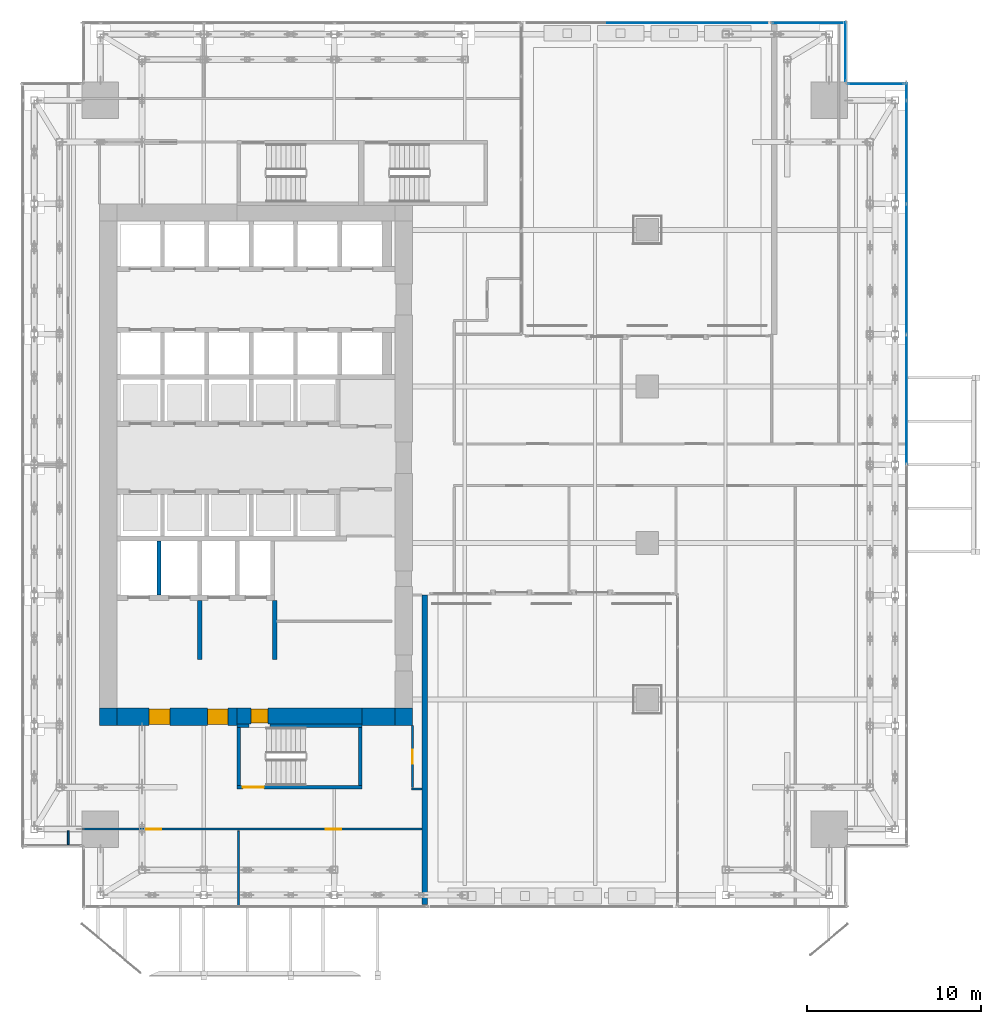
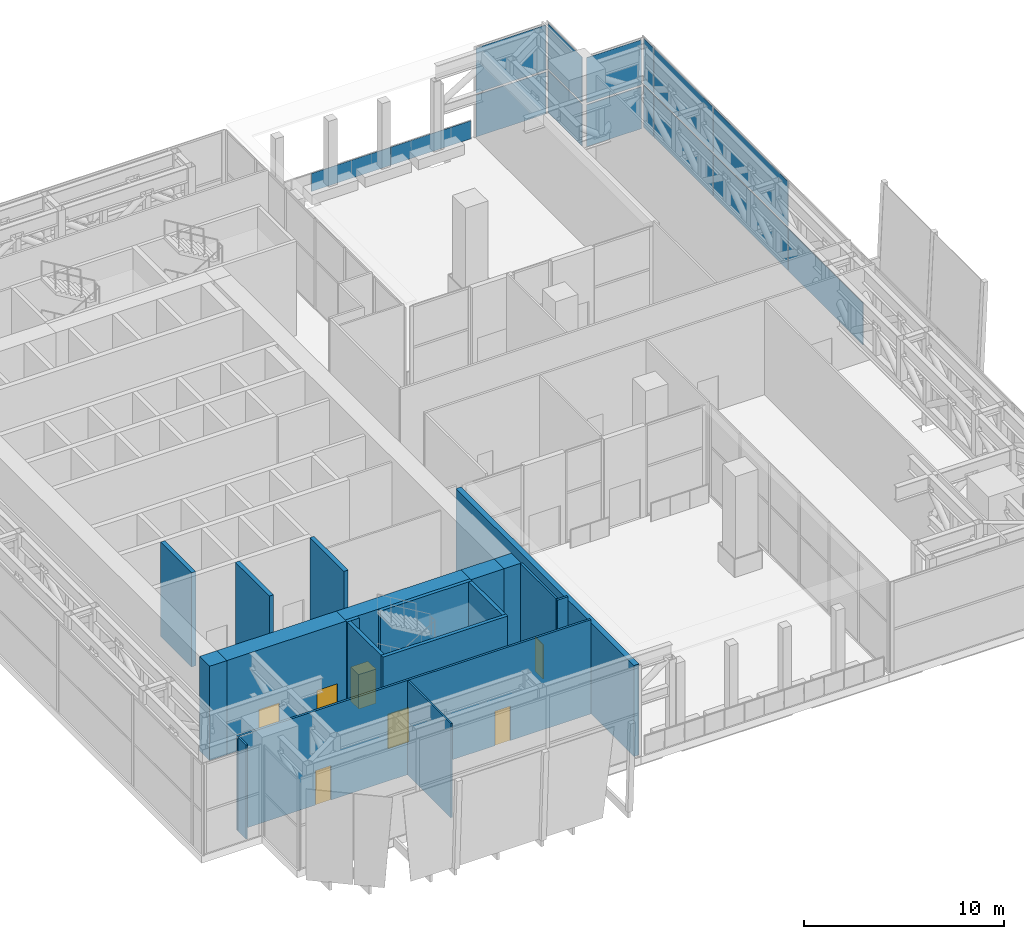
# One storey, part 35 of 47: 19 walls, 15 plates, 7 doors, 7 openings, 4 elements without a shape of their own.
"""IFC4 building model written with IfcOpenShell, lengths in metres."""

import ifcopenshell
import ifcopenshell.guid

model = None  # the IFC model being written
_history = None  # IfcOwnerHistory: only IFC2X3 demands one
_inside = {}  # id of a spatial element -> (the spatial element, [elements in it])
_under = {}  # id of a project, library or spatial element -> (it, [spatial elements below it])
_declared = {}  # id of a project -> (the project, [libraries it declares])
_typed = {}  # id of a type object -> (the type object, [elements of that type])
_made_of = {}  # id of a material, layer set ... -> (it, [elements and type objects made of it])


def new_model(schema):
    """Start an empty IFC model of exactly this schema.

    Asked for "IFC4X3", IfcOpenShell would pick the latest addendum, in which some entities
    have other attributes; the version numbers below select the first issue.
    IFC2X3 requires an IfcOwnerHistory on every rooted entity: one is made here for all.
    """
    global model, _history
    if schema == "IFC4X3":
        model = ifcopenshell.file(schema_version=(4, 3, 0, 0))
    else:
        model = ifcopenshell.file(schema=schema)
    _inside.clear()
    _under.clear()
    _declared.clear()
    _typed.clear()
    _made_of.clear()
    _history = None
    if model.schema == "IFC2X3":
        org = make("IfcOrganization", Name="unknown")
        user = make(
            "IfcPersonAndOrganization",
            ThePerson=make("IfcPerson", FamilyName="unknown"),
            TheOrganization=org,
        )
        app = make(
            "IfcApplication",
            ApplicationDeveloper=org,
            Version="unknown",
            ApplicationFullName="unknown",
            ApplicationIdentifier="unknown",
        )
        _history = make(
            "IfcOwnerHistory",
            OwningUser=user,
            OwningApplication=app,
            ChangeAction="ADDED",
            CreationDate=0,
        )
    return model


def make(cls, **values):
    """One entity of the class cls with the attributes given. An attribute that is None is left unset."""
    return model.create_entity(
        cls, **{name: value for name, value in values.items() if value is not None}
    )


def rooted(cls, **values):
    """An entity with a GlobalId (a new one), such as an element, a storey or a relation."""
    return make(cls, GlobalId=ifcopenshell.guid.new(), OwnerHistory=_history, **values)


def si_unit(unit_type, name, prefix=None):
    """IfcSIUnit, for example si_unit("LENGTHUNIT", "METRE", prefix="MILLI")."""
    return make("IfcSIUnit", UnitType=unit_type, Prefix=prefix, Name=name)


def assignment(units):
    """IfcUnitAssignment: the units of a project."""
    return None if units is None else make("IfcUnitAssignment", Units=units)


def point(xyz):
    """IfcCartesianPoint."""
    return None if xyz is None else make("IfcCartesianPoint", Coordinates=xyz)


def direction(xyz):
    """IfcDirection."""
    return None if xyz is None else make("IfcDirection", DirectionRatios=xyz)


def frame(location, z_axis=None, x_axis=None):
    """IfcAxis2Placement3D, a coordinate frame: its origin and axes. An axis left out is left unset."""
    return make(
        "IfcAxis2Placement3D",
        Location=point(location),
        Axis=direction(z_axis),
        RefDirection=direction(x_axis),
    )


def frame_2d(location, x_axis=None):
    """IfcAxis2Placement2D, a coordinate frame in the plane: its origin and x axis."""
    return make(
        "IfcAxis2Placement2D", Location=point(location), RefDirection=direction(x_axis)
    )


def origin():
    """The frame at (0, 0, 0) with its axes left unset."""
    return frame((0.0, 0.0, 0.0))


def origin_2d():
    """The frame at (0, 0) in the plane with its x axis left unset."""
    return frame_2d((0.0, 0.0))


def place(relative_to, where):
    """IfcLocalPlacement: puts the frame where relative to a parent placement (None: the world)."""
    return make(
        "IfcLocalPlacement", PlacementRelTo=relative_to, RelativePlacement=where
    )


def context(
    kind, dimensions, precision=None, world=None, true_north=None, identifier=None
):
    """IfcGeometricRepresentationContext, for example the 3D "Model" context."""
    return make(
        "IfcGeometricRepresentationContext",
        ContextIdentifier=identifier,
        ContextType=kind,
        CoordinateSpaceDimension=dimensions,
        Precision=precision,
        WorldCoordinateSystem=world,
        TrueNorth=true_north,
    )


def subcontext(parent, identifier, kind, view, scale=None):
    """IfcGeometricRepresentationSubContext, for example "Body" below "Model"."""
    return make(
        "IfcGeometricRepresentationSubContext",
        ContextIdentifier=identifier,
        ContextType=kind,
        ParentContext=parent,
        TargetScale=scale,
        TargetView=view,
    )


def project(units=None, contexts=None):
    """IfcProject with its units and contexts."""
    return rooted(
        "IfcProject",
        Name="project",
        RepresentationContexts=contexts,
        UnitsInContext=assignment(units),
    )


def spatial(cls, under=None, at=None, **own):
    """A site, building, storey or space (cls), placed at a placement, below another one or the project."""
    s = rooted(cls, ObjectPlacement=at, **own)
    if under is not None:
        _under.setdefault(under.id(), (under, []))[1].append(s)
    return s


def profile(cls, at=None, kind="AREA", **sizes):
    """A parametric profile (cls). Its sizes go by their IFC names, for example OverallWidth=200.0."""
    return make(cls, ProfileType=kind, Position=at, **sizes)


def rectangle(**sizes):
    """IfcRectangleProfileDef."""
    return profile("IfcRectangleProfileDef", **sizes)


def extrude(swept, where, along, depth):
    """IfcExtrudedAreaSolid: the profile swept, set in the frame where, extruded along a direction by depth."""
    return make(
        "IfcExtrudedAreaSolid",
        SweptArea=swept,
        Position=where,
        ExtrudedDirection=direction(along),
        Depth=depth,
    )


def shape(context_of_items, identifier, shape_type, items):
    """IfcShapeRepresentation: the items that make up one representation, for example the "Body"."""
    return make(
        "IfcShapeRepresentation",
        ContextOfItems=context_of_items,
        RepresentationIdentifier=identifier,
        RepresentationType=shape_type,
        Items=items,
    )


def source(mapping_origin, context_of_items, identifier, shape_type, items):
    """IfcRepresentationMap: a shape defined once, which mapped items show again and again."""
    return make(
        "IfcRepresentationMap",
        MappingOrigin=mapping_origin,
        MappedRepresentation=shape(context_of_items, identifier, shape_type, items),
    )


def transform(
    local_origin,
    x_axis=None,
    y_axis=None,
    z_axis=None,
    scale=None,
    scale2=None,
    scale3=None,
    uniform=True,
):
    """IfcCartesianTransformationOperator3D, or its non-uniform kind. x_axis, y_axis, z_axis: its Axis1, 2, 3."""
    if uniform:
        return make(
            "IfcCartesianTransformationOperator3D",
            Axis1=direction(x_axis),
            Axis2=direction(y_axis),
            LocalOrigin=point(local_origin),
            Scale=scale,
            Axis3=direction(z_axis),
        )
    return make(
        "IfcCartesianTransformationOperator3DnonUniform",
        Axis1=direction(x_axis),
        Axis2=direction(y_axis),
        LocalOrigin=point(local_origin),
        Scale=scale,
        Axis3=direction(z_axis),
        Scale2=scale2,
        Scale3=scale3,
    )


def mapped(mapping_source, mapping_target):
    """IfcMappedItem: shows the shape of a source again, moved by a transform."""
    return make(
        "IfcMappedItem", MappingSource=mapping_source, MappingTarget=mapping_target
    )


def material(Name=None, Category=None):
    """IfcMaterial."""
    return make("IfcMaterial", Name=Name, Category=Category)


def layer(
    of_material, thickness, ventilated=None, Name=None, Category=None, Priority=None
):
    """IfcMaterialLayer: one layer of a wall or slab, of a material (None: an air gap)."""
    return make(
        "IfcMaterialLayer",
        Material=of_material,
        LayerThickness=thickness,
        IsVentilated=ventilated,
        Name=Name,
        Category=Category,
        Priority=Priority,
    )


def layer_set(layers, Name=None):
    """IfcMaterialLayerSet."""
    return make("IfcMaterialLayerSet", MaterialLayers=layers, LayerSetName=Name)


def made_of(thing, what):
    """Note that an element or type object is made of a material, layer set ...; save() writes the relation."""
    if what is not None:
        _made_of.setdefault(what.id(), (what, []))[1].append(thing)
    return thing


def type_object(cls, material=None, **own):
    """A type object (cls), such as IfcWallType, which elements share."""
    return made_of(rooted(cls, **own), material)


def element(
    cls,
    number,
    at=None,
    inside=None,
    cuts=None,
    type_object=None,
    material=None,
    context=None,
    identifier="Body",
    shape_type=None,
    held_by="IfcProductDefinitionShape",
    body=None,
    shapes=None,
    **own,
):
    """One element of the class cls, such as IfcWall. Its Tag is "e" and its number.

    at: its placement. inside: the storey or other place that contains it. cuts: it is an
    opening in that element (IfcRelVoidsElement). A single representation is given by context,
    identifier, shape_type and body (its items); several are given by shapes. held_by: the class
    of the entity that holds the representations. save() writes the other relations.
    """
    e = rooted(cls, Tag="e%d" % number, ObjectPlacement=at, **own)
    if body is not None:
        shapes = [shape(context, identifier, shape_type, body)]
    if shapes is not None:
        e.Representation = make(held_by, Representations=shapes)
    if inside is not None:
        _inside.setdefault(inside.id(), (inside, []))[1].append(e)
    if cuts is not None:
        rooted(
            "IfcRelVoidsElement", RelatingBuildingElement=cuts, RelatedOpeningElement=e
        )
    if type_object is not None:
        _typed.setdefault(type_object.id(), (type_object, []))[1].append(e)
    return made_of(e, material)


def fill(opening, filler):
    """IfcRelFillsElement: the door or window that sits in an opening."""
    return rooted(
        "IfcRelFillsElement",
        RelatingOpeningElement=opening,
        RelatedBuildingElement=filler,
    )


def aggregate(whole, parts):
    """IfcRelAggregates: a whole, such as a stair, and the parts it consists of."""
    return rooted("IfcRelAggregates", RelatingObject=whole, RelatedObjects=parts)


def save(model, path):
    """Write the relations noted so far, then the file.

    IfcRelAggregates (storeys below a building ...), IfcRelContainedInSpatialStructure (elements
    in a storey), IfcRelDefinesByType, IfcRelAssociatesMaterial and IfcRelDeclares: one each for
    every whole, place, type object, material and project.
    """
    for whole, parts in _under.values():
        aggregate(whole, parts)
    for where, things in _inside.values():
        rooted(
            "IfcRelContainedInSpatialStructure",
            RelatedElements=things,
            RelatingStructure=where,
        )
    for kind, things in _typed.values():
        rooted("IfcRelDefinesByType", RelatedObjects=things, RelatingType=kind)
    for what, things in _made_of.values():
        rooted("IfcRelAssociatesMaterial", RelatedObjects=things, RelatingMaterial=what)
    for by, libraries in _declared.values():
        rooted("IfcRelDeclares", RelatingContext=by, RelatedDefinitions=libraries)
    model.write(path)


model = new_model("IFC4")

# Units and contexts
model_context = context("Model", 3, precision=1e-05, world=origin(), true_north=direction((0.0, 1.0)))
body_context = subcontext(model_context, "Body", "Model", "MODEL_VIEW")
ifc_project = project(units=[si_unit("LENGTHUNIT", "METRE"), si_unit("AREAUNIT", "SQUARE_METRE"), si_unit("VOLUMEUNIT", "CUBIC_METRE"), si_unit("PLANEANGLEUNIT", "RADIAN"), si_unit("MASSUNIT", "GRAM", prefix="KILO")], contexts=[model_context])

# Site, building, storey
site_placement = place(None, origin())
site = spatial("IfcSite", under=ifc_project, at=site_placement, CompositionType="ELEMENT")
building_placement = place(site_placement, origin())
building = spatial("IfcBuilding", under=site, at=building_placement, Name="Khomas Fold Tower", CompositionType="ELEMENT")
storey_placement = place(building_placement, frame((0.0, 0.0, 158.699951171875)))
storey = spatial("IfcBuildingStorey", under=building, at=storey_placement, Name="L34", CompositionType="ELEMENT", Elevation=158.699951171875)

# Curtain wall, plates
ifc_material_1 = material(Name="Aluminium framed double glazing", Category="aluminium")
curtain_wall_type = type_object("IfcCurtainWallType", Name="SK-Unitised clear-glass wall, growing floors CW1", PredefinedType="NOTDEFINED", material=ifc_material_1)
curtain_wall_1_placement = place(storey_placement, origin())
curtain_wall_1 = element("IfcCurtainWall", 1, at=curtain_wall_1_placement, inside=storey, type_object=curtain_wall_type, Name="CW1 corner return L34 10", PredefinedType="NOTDEFINED")
ifc_material_2 = material(Name="Insulated metal spandrel panel")
ifc_layer_1 = layer(ifc_material_2, 0.031982421875)
ifc_layer_set_1 = layer_set([ifc_layer_1], Name="Insulated metal spandrel panel")
plate_type_1 = type_object("IfcPlateType", Name="SK-Unitised clear-glass wall, growing floors spandrel panel CW1-S", PredefinedType="CURTAIN_PANEL", material=ifc_layer_set_1)
shared_shape_1 = source(origin(), body_context, "Body", "SweptSolid", [
    extrude(rectangle(XDim=3.3798828125, YDim=0.031982421875, at=origin_2d()), origin(), (0.0, 0.0, 1.0), 2.752685546875),
])
plate_1_placement = place(storey_placement, frame((48.89990234375, 50.75, 2.67724609375), z_axis=(0.0, 0.0, 1.0), x_axis=(0.0, 1.0, 0.0)))
plate_1 = element("IfcPlate", 2, at=plate_1_placement, type_object=plate_type_1, Name="CW1 spandrel panel 1", PredefinedType="CURTAIN_PANEL", context=body_context, shape_type="MappedRepresentation", body=[
    mapped(shared_shape_1, transform((0.0, 0.0, 0.0))),
])
ifc_material_3 = material(Name="Clear double glazed unit")
ifc_layer_2 = layer(ifc_material_3, 0.031982421875)
ifc_layer_set_2 = layer_set([ifc_layer_2], Name="Clear double glazed unit")
plate_type_2 = type_object("IfcPlateType", Name="SK-Unitised clear-glass wall, growing floors glass panel CW1-P", PredefinedType="CURTAIN_PANEL", material=ifc_layer_set_2)
shared_shape_2 = source(origin(), body_context, "Body", "SweptSolid", [
    extrude(rectangle(XDim=3.3798828125, YDim=0.031982421875, at=origin_2d()), origin(), (0.0, 0.0, 1.0), 2.55712890625),
])
plate_2_placement = place(storey_placement, frame((48.89990234375, 50.75, 0.0), z_axis=(0.0, 0.0, 1.0), x_axis=(0.0, 1.0, 0.0)))
plate_2 = element("IfcPlate", 3, at=plate_2_placement, type_object=plate_type_2, Name="CW1 glass panel 1", PredefinedType="CURTAIN_PANEL", context=body_context, shape_type="MappedRepresentation", body=[
    mapped(shared_shape_2, transform((0.0, 0.0, 0.0))),
])
aggregate(curtain_wall_1, [plate_1, plate_2])

curtain_wall_2_placement = place(storey_placement, origin())
curtain_wall_2 = element("IfcCurtainWall", 4, at=curtain_wall_2_placement, inside=storey, type_object=curtain_wall_type, Name="CW1 run L34 08-0", PredefinedType="NOTDEFINED")
shared_shape_3 = source(origin(), body_context, "Body", "SweptSolid", [
    extrude(rectangle(XDim=5.889892578125, YDim=0.031982421875, at=origin_2d()), origin(), (0.0, 0.0, 1.0), 2.752685546875),
])
plate_3_placement = place(storey_placement, frame((52.39990234375, 44.97509765625, 2.67724609375), z_axis=(0.0, 0.0, 1.0), x_axis=(0.0, 1.0, 0.0)))
plate_3 = element("IfcPlate", 5, at=plate_3_placement, type_object=plate_type_1, Name="CW1 spandrel panel 7", PredefinedType="CURTAIN_PANEL", context=body_context, shape_type="MappedRepresentation", body=[
    mapped(shared_shape_3, transform((0.0, 0.0, 0.0))),
])
shared_shape_4 = source(origin(), body_context, "Body", "SweptSolid", [
    extrude(rectangle(XDim=5.889892578125, YDim=0.031982421875, at=origin_2d()), origin(), (0.0, 0.0, 1.0), 2.55712890625),
])
plate_4_placement = place(storey_placement, frame((52.39990234375, 44.97509765625, 0.0), z_axis=(0.0, 0.0, 1.0), x_axis=(0.0, 1.0, 0.0)))
plate_4 = element("IfcPlate", 6, at=plate_4_placement, type_object=plate_type_2, Name="CW1 glass panel 7", PredefinedType="CURTAIN_PANEL", context=body_context, shape_type="MappedRepresentation", body=[
    mapped(shared_shape_4, transform((0.0, 0.0, 0.0))),
])
shared_shape_5 = source(origin(), body_context, "Body", "SweptSolid", [
    extrude(rectangle(XDim=7.43994140625, YDim=0.031982421875, at=origin_2d()), origin(), (0.0, 0.0, 1.0), 2.752685546875),
])
plate_5_placement = place(storey_placement, frame((52.39990234375, 38.25, 2.67724609375), z_axis=(0.0, 0.0, 1.0), x_axis=(0.0, 1.0, 0.0)))
plate_5 = element("IfcPlate", 7, at=plate_5_placement, type_object=plate_type_1, Name="CW1 spandrel panel 6", PredefinedType="CURTAIN_PANEL", context=body_context, shape_type="MappedRepresentation", body=[
    mapped(shared_shape_5, transform((0.0, 0.0, 0.0))),
])
shared_shape_6 = source(origin(), body_context, "Body", "SweptSolid", [
    extrude(rectangle(XDim=7.43994140625, YDim=0.031982421875, at=origin_2d()), origin(), (0.0, 0.0, 1.0), 2.55712890625),
])
plate_6_placement = place(storey_placement, frame((52.39990234375, 30.75, 0.0), z_axis=(0.0, 0.0, 1.0), x_axis=(0.0, 1.0, 0.0)))
plate_6 = element("IfcPlate", 8, at=plate_6_placement, type_object=plate_type_2, Name="CW1 glass panel 5", PredefinedType="CURTAIN_PANEL", context=body_context, shape_type="MappedRepresentation", body=[
    mapped(shared_shape_6, transform((0.0, 0.0, 0.0))),
])
plate_7_placement = place(storey_placement, frame((52.39990234375, 38.25, 0.0), z_axis=(0.0, 0.0, 1.0), x_axis=(0.0, 1.0, 0.0)))
plate_7 = element("IfcPlate", 9, at=plate_7_placement, type_object=plate_type_2, Name="CW1 glass panel 6", PredefinedType="CURTAIN_PANEL", context=body_context, shape_type="MappedRepresentation", body=[
    mapped(shared_shape_6, transform((0.0, 0.0, 0.0))),
])

curtain_wall_3_placement = place(storey_placement, origin())
curtain_wall_3 = element("IfcCurtainWall", 10, at=curtain_wall_3_placement, inside=storey, type_object=curtain_wall_type, Name="CW1 corner return L34 09", PredefinedType="NOTDEFINED")
shared_shape_7 = source(origin(), body_context, "Body", "SweptSolid", [
    extrude(rectangle(XDim=3.179931640625, YDim=0.031982421875, at=origin_2d()), origin(), (0.0, 0.0, 1.0), 2.752685546875),
])
plate_8_placement = place(storey_placement, frame((50.64990234375, 48.89990234375, 2.67724609375), z_axis=(0.0, 0.0, 1.0), x_axis=(-1.0, 0.0, 0.0)))
plate_8 = element("IfcPlate", 11, at=plate_8_placement, type_object=plate_type_1, Name="CW1 spandrel panel 1", PredefinedType="CURTAIN_PANEL", context=body_context, shape_type="MappedRepresentation", body=[
    mapped(shared_shape_7, transform((0.0, 0.0, 0.0))),
])
shared_shape_8 = source(origin(), body_context, "Body", "SweptSolid", [
    extrude(rectangle(XDim=3.179931640625, YDim=0.031982421875, at=origin_2d()), origin(), (0.0, 0.0, 1.0), 2.55712890625),
])
plate_9_placement = place(storey_placement, frame((50.64990234375, 48.89990234375, 0.0), z_axis=(0.0, 0.0, 1.0), x_axis=(-1.0, 0.0, 0.0)))
plate_9 = element("IfcPlate", 12, at=plate_9_placement, type_object=plate_type_2, Name="CW1 glass panel 1", PredefinedType="CURTAIN_PANEL", context=body_context, shape_type="MappedRepresentation", body=[
    mapped(shared_shape_8, transform((0.0, 0.0, 0.0))),
])
aggregate(curtain_wall_3, [plate_8, plate_9])

# Plate
shared_shape_9 = source(origin(), body_context, "Body", "SweptSolid", [
    extrude(rectangle(XDim=0.9599609375, YDim=0.031982421875, at=origin_2d()), origin(), (0.0, 0.0, 1.0), 2.752685546875),
])
plate_10_placement = place(storey_placement, frame((52.39990234375, 48.4599609375, 2.67724609375), z_axis=(0.0, 0.0, 1.0), x_axis=(0.0, 1.0, 0.0)))
plate_10 = element("IfcPlate", 13, at=plate_10_placement, type_object=plate_type_1, Name="CW1 spandrel panel 8", PredefinedType="CURTAIN_PANEL", context=body_context, shape_type="MappedRepresentation", body=[
    mapped(shared_shape_9, transform((0.0, 0.0, 0.0))),
])

shared_shape_10 = source(origin(), body_context, "Body", "SweptSolid", [
    extrude(rectangle(XDim=0.9599609375, YDim=0.031982421875, at=origin_2d()), origin(), (0.0, 0.0, 1.0), 2.55712890625),
])
plate_11_placement = place(storey_placement, frame((52.39990234375, 48.4599609375, 0.0), z_axis=(0.0, 0.0, 1.0), x_axis=(0.0, 1.0, 0.0)))
plate_11 = element("IfcPlate", 14, at=plate_11_placement, type_object=plate_type_2, Name="CW1 glass panel 8", PredefinedType="CURTAIN_PANEL", context=body_context, shape_type="MappedRepresentation", body=[
    mapped(shared_shape_10, transform((0.0, 0.0, 0.0))),
])

aggregate(curtain_wall_2, [plate_6, plate_5, plate_7, plate_3, plate_4, plate_10, plate_11])

# Curtain wall, plates
curtain_wall_4_placement = place(storey_placement, origin())
curtain_wall_4 = element("IfcCurtainWall", 15, at=curtain_wall_4_placement, inside=storey, type_object=curtain_wall_type, Name="CW1 run L34 11-0", PredefinedType="NOTDEFINED")
shared_shape_11 = source(origin(), body_context, "Body", "SweptSolid", [
    extrude(rectangle(XDim=4.030029296875, YDim=0.031982421875, at=origin_2d()), origin(), (0.0, 0.0, 1.0), 2.752685546875),
])
plate_12_placement = place(storey_placement, frame((46.72509765625, 52.39990234375, 2.67724609375), z_axis=(0.0, 0.0, 1.0), x_axis=(-1.0, 0.0, 0.0)))
plate_12 = element("IfcPlate", 16, at=plate_12_placement, type_object=plate_type_1, Name="CW1 spandrel panel 1", PredefinedType="CURTAIN_PANEL", context=body_context, shape_type="MappedRepresentation", body=[
    mapped(shared_shape_11, transform((0.0, 0.0, 0.0))),
])
shared_shape_12 = source(origin(), body_context, "Body", "SweptSolid", [
    extrude(rectangle(XDim=4.030029296875, YDim=0.031982421875, at=origin_2d()), origin(), (0.0, 0.0, 1.0), 2.55712890625),
])
plate_13_placement = place(storey_placement, frame((46.72509765625, 52.39990234375, 0.0), z_axis=(0.0, 0.0, 1.0), x_axis=(-1.0, 0.0, 0.0)))
plate_13 = element("IfcPlate", 17, at=plate_13_placement, type_object=plate_type_2, Name="CW1 glass panel 1", PredefinedType="CURTAIN_PANEL", context=body_context, shape_type="MappedRepresentation", body=[
    mapped(shared_shape_12, transform((0.0, 0.0, 0.0))),
])
aggregate(curtain_wall_4, [plate_12, plate_13])

# Plates
ifc_material_4 = material(Name="Laminated toughened glass", Category="glass")
ifc_layer_3 = layer(ifc_material_4, 0.030029296875)
ifc_layer_set_3 = layer_set([ifc_layer_3], Name="Laminated toughened glass")
plate_type_3 = type_object("IfcPlateType", Name="Guard glass infill GD-GI", PredefinedType="SHEET", material=ifc_layer_set_3)
shared_shape_13 = source(origin(), body_context, "Body", "SweptSolid", [
    extrude(rectangle(XDim=4.60009765625, YDim=0.030029296875, at=origin_2d()), origin(), (0.0, 0.0, 1.0), 1.10009765625),
])
for number, where, z_axis, x_axis, name in (
    (18, (37.5, 52.39990234375, 0.0), (0.0, 0.0, 1.0), (1.0, 0.0, 0.0), "Guard glass infill"),
    (19, (42.10009765625, 52.39990234375, 0.0), (0.0, 0.0, 1.0), (1.0, 0.0, 0.0), "Guard glass infill"),
):
    element("IfcPlate", number, at=place(storey_placement, frame(where, z_axis=z_axis, x_axis=x_axis)), inside=storey, type_object=plate_type_3, Name=name, PredefinedType="SHEET", context=body_context, shape_type="MappedRepresentation", body=[
        mapped(shared_shape_13, transform((0.0, 0.0, 0.0))),
    ])

# Wall, openings, doors
ifc_material_5 = material(Name="Concrete C70/85", Category="concrete")
ifc_layer_4 = layer(ifc_material_5, 1.0)
ifc_layer_set_4 = layer_set([ifc_layer_4], Name="Concrete C70/85")
wall_type_1 = type_object("IfcWallType", Name="Core wall 1000", PredefinedType="SHEAR", material=ifc_layer_set_4)
shared_shape_14 = source(origin(), body_context, "Body", "SweptSolid", [
    extrude(rectangle(XDim=6.89990234375, YDim=1.0, at=frame_2d((3.449951171875, 0.0))), origin(), (0.0, 0.0, 1.0), 5.75),
])
wall_1_placement = place(storey_placement, frame((7.0, 12.5, 0.0), z_axis=(0.0, 0.0, 1.0), x_axis=(1.0, 0.0, 0.0)))
wall_1 = element("IfcWall", 20, at=wall_1_placement, inside=storey, type_object=wall_type_1, Name="Core wall CW-L-S-L21", PredefinedType="SHEAR", context=body_context, shape_type="MappedRepresentation", body=[
    mapped(shared_shape_14, transform((0.0, 0.0, 0.0))),
])
shared_shape_15 = source(origin(), body_context, "Body", "SweptSolid", [
    extrude(rectangle(XDim=1.199951171875, YDim=2.10009765625, at=frame_2d((0.60009765625, 1.050048828125))), frame((0.0, 0.510009765625, 0.0), z_axis=(0.0, -1.0, 0.0), x_axis=(1.0, 0.0, 0.0)), (0.0, 0.0, 1.0), 1.02001953125),
])
opening_1_placement = place(wall_1_placement, frame((5.199951171875, 0.0, 0.0)))
opening_1 = element("IfcOpeningElement", 21, at=opening_1_placement, cuts=wall_1, Name="Opening 0009", PredefinedType="OPENING", context=body_context, shape_type="MappedRepresentation", body=[
    mapped(shared_shape_15, transform((0.0, 0.0, 0.0))),
])
opening_2_placement = place(wall_1_placement, frame((1.85009765625, 0.0, 0.0)))
opening_2 = element("IfcOpeningElement", 22, at=opening_2_placement, cuts=wall_1, Name="Opening 0009", PredefinedType="OPENING", context=body_context, shape_type="MappedRepresentation", body=[
    mapped(shared_shape_15, transform((0.0, 0.0, 0.0))),
])
ifc_material_6 = material(Name="Steel door leaf", Category="steel")
door_type_1 = type_object("IfcDoorType", Name="Lobby door 1200x2100 right-hand", OperationType="SINGLE_SWING_RIGHT", PredefinedType="DOOR", material=ifc_material_6)
shared_shape_16 = source(origin(), body_context, "Body", "SweptSolid", [
    extrude(rectangle(XDim=1.199951171875, YDim=2.10009765625, at=frame_2d((0.60009765625, 1.050048828125))), frame((0.0, 0.449951171875, 0.0), z_axis=(0.0, -1.0, 0.0), x_axis=(1.0, 0.0, 0.0)), (0.0, 0.0, 1.0), 0.89990234375),
])
door_1_placement = place(opening_1_placement, origin())
door_1 = element("IfcDoor", 23, at=door_1_placement, inside=storey, type_object=door_type_1, Name="Lobby door", OperationType="SINGLE_SWING_RIGHT", OverallHeight=2.10009765625, OverallWidth=1.199951171875, PredefinedType="DOOR", context=body_context, shape_type="MappedRepresentation", body=[
    mapped(shared_shape_16, transform((0.0, 0.0, 0.0))),
])
fill(opening_1, door_1)
door_2_placement = place(opening_2_placement, origin())
door_2 = element("IfcDoor", 24, at=door_2_placement, inside=storey, type_object=door_type_1, Name="Lobby door", OperationType="SINGLE_SWING_RIGHT", OverallHeight=2.10009765625, OverallWidth=1.199951171875, PredefinedType="DOOR", context=body_context, shape_type="MappedRepresentation", body=[
    mapped(shared_shape_16, transform((0.0, 0.0, 0.0))),
])
fill(opening_2, door_2)

# Walls
ifc_material_7 = material(Name="Concrete C70/85", Category="concrete")
ifc_layer_5 = layer(ifc_material_7, 1.0)
ifc_layer_set_5 = layer_set([ifc_layer_5], Name="Concrete C70/85")
wall_type_2 = type_object("IfcWallType", Name="Core corner wall 1000", PredefinedType="SHEAR", material=ifc_layer_set_5)
shared_shape_17 = source(origin(), body_context, "Body", "SweptSolid", [
    extrude(rectangle(XDim=1.0, YDim=1.0, at=frame_2d((0.5, 0.0))), origin(), (0.0, 0.0, 1.0), 5.75),
])
for number, where, z_axis, x_axis, name in (
    (25, (23.0, 12.5, 0.0), (0.0, 0.0, 1.0), (1.0, 0.0, 0.0), "Core wall CW-L-SE-L21"),
    (26, (6.0, 12.5, 0.0), (0.0, 0.0, 1.0), (1.0, 0.0, 0.0), "Core wall CW-L-SW-L21"),
):
    element("IfcWall", number, at=place(storey_placement, frame(where, z_axis=z_axis, x_axis=x_axis)), inside=storey, type_object=wall_type_2, Name=name, PredefinedType="SHEAR", context=body_context, shape_type="MappedRepresentation", body=[
        mapped(shared_shape_17, transform((0.0, 0.0, 0.0))),
    ])

# Wall, opening, door
ifc_material_8 = material(Name="Concrete C70/85", Category="concrete")
ifc_layer_6 = layer(ifc_material_8, 0.89990234375)
ifc_layer_set_6 = layer_set([ifc_layer_6], Name="Concrete C70/85")
wall_type_3 = type_object("IfcWallType", Name="Core wall 900", PredefinedType="SHEAR", material=ifc_layer_set_6)
shared_shape_18 = source(origin(), body_context, "Body", "SweptSolid", [
    extrude(rectangle(XDim=7.2001953125, YDim=0.89990234375, at=frame_2d((3.60009765625, 0.0))), origin(), (0.0, 0.0, 1.0), 5.75),
])
wall_2_placement = place(storey_placement, frame((13.89990234375, 12.550048828125, 0.0), z_axis=(0.0, 0.0, 1.0), x_axis=(1.0, 0.0, 0.0)))
wall_2 = element("IfcWall", 27, at=wall_2_placement, inside=storey, type_object=wall_type_3, Name="Core wall CW-L-S-L21-1", PredefinedType="SHEAR", context=body_context, shape_type="MappedRepresentation", body=[
    mapped(shared_shape_18, transform((0.0, 0.0, 0.0))),
])
shared_shape_19 = source(origin(), body_context, "Body", "SweptSolid", [
    extrude(rectangle(XDim=1.0, YDim=2.10009765625, at=frame_2d((0.5, 1.050048828125))), frame((0.0, 0.4599609375, 0.0), z_axis=(0.0, -1.0, 0.0), x_axis=(1.0, 0.0, 0.0)), (0.0, 0.0, 1.0), 0.919921875),
])
opening_3_placement = place(wall_2_placement, frame((0.800048828125, 0.0, 0.0)))
opening_3 = element("IfcOpeningElement", 28, at=opening_3_placement, cuts=wall_2, Name="Opening 0010", PredefinedType="OPENING", context=body_context, shape_type="MappedRepresentation", body=[
    mapped(shared_shape_19, transform((0.0, 0.0, 0.0))),
])
ifc_material_9 = material(Name="Steel door leaf", Category="steel")
door_type_2 = type_object("IfcDoorType", Name="Stair door 1000x2100 right-hand", OperationType="SINGLE_SWING_RIGHT", PredefinedType="DOOR", material=ifc_material_9)
shared_shape_20 = source(origin(), body_context, "Body", "SweptSolid", [
    extrude(rectangle(XDim=1.0, YDim=2.10009765625, at=frame_2d((0.5, 1.050048828125))), frame((0.0, 0.39990234375, 0.0), z_axis=(0.0, -1.0, 0.0), x_axis=(1.0, 0.0, 0.0)), (0.0, 0.0, 1.0), 0.7998046875),
])
door_3_placement = place(opening_3_placement, origin())
door_3 = element("IfcDoor", 29, at=door_3_placement, inside=storey, type_object=door_type_2, Name="Stair door", OperationType="SINGLE_SWING_RIGHT", OverallHeight=2.10009765625, OverallWidth=1.0, PredefinedType="DOOR", context=body_context, shape_type="MappedRepresentation", body=[
    mapped(shared_shape_20, transform((0.0, 0.0, 0.0))),
])
fill(opening_3, door_3)

# Walls
shared_shape_21 = source(origin(), body_context, "Body", "SweptSolid", [
    extrude(rectangle(XDim=1.89990234375, YDim=1.0, at=frame_2d((0.949951171875, 0.0))), origin(), (0.0, 0.0, 1.0), 5.75),
])
wall_3_placement = place(storey_placement, frame((21.10009765625, 12.5, 0.0), z_axis=(0.0, 0.0, 1.0), x_axis=(1.0, 0.0, 0.0)))
element("IfcWall", 30, at=wall_3_placement, inside=storey, type_object=wall_type_1, Name="Core wall CW-L-S-L21-2", PredefinedType="SHEAR", context=body_context, shape_type="MappedRepresentation", body=[
    mapped(shared_shape_21, transform((0.0, 0.0, 0.0))),
])
ifc_material_10 = material(Name="Concrete C50/60", Category="concrete")
ifc_layer_7 = layer(ifc_material_10, 0.199951171875)
ifc_layer_set_7 = layer_set([ifc_layer_7], Name="Concrete C50/60")
wall_type_4 = type_object("IfcWallType", Name="Stair wall 200", PredefinedType="SHEAR", material=ifc_layer_set_7)
shared_shape_22 = source(origin(), body_context, "Body", "SweptSolid", [
    extrude(rectangle(XDim=0.7001953125, YDim=0.199951171875, at=frame_2d((0.35009765625, 0.0))), origin(), (0.0, 0.0, 1.0), 5.75),
])
wall_4_placement = place(storey_placement, frame((13.89990234375, 12.0, 0.0), z_axis=(0.0, 0.0, 1.0), x_axis=(1.0, 0.0, 0.0)))
element("IfcWall", 31, at=wall_4_placement, inside=storey, type_object=wall_type_4, Name="Stair wall SW-ST2-N", PredefinedType="SHEAR", context=body_context, shape_type="MappedRepresentation", body=[
    mapped(shared_shape_22, transform((0.0, 0.0, 0.0))),
])
shared_shape_23 = source(origin(), body_context, "Body", "SweptSolid", [
    extrude(rectangle(XDim=5.300048828125, YDim=0.199951171875, at=frame_2d((2.64990234375, 0.0))), origin(), (0.0, 0.0, 1.0), 5.75),
])
wall_5_placement = place(storey_placement, frame((15.800048828125, 12.0, 0.0), z_axis=(0.0, 0.0, 1.0), x_axis=(1.0, 0.0, 0.0)))
element("IfcWall", 32, at=wall_5_placement, inside=storey, type_object=wall_type_4, Name="Stair wall SW-ST2-NB", PredefinedType="SHEAR", context=body_context, shape_type="MappedRepresentation", body=[
    mapped(shared_shape_23, transform((0.0, 0.0, 0.0))),
])

# Wall, opening, door
shared_shape_24 = source(origin(), body_context, "Body", "SweptSolid", [
    extrude(rectangle(XDim=7.2001953125, YDim=0.199951171875, at=frame_2d((3.60009765625, 0.0))), origin(), (0.0, 0.0, 1.0), 5.75),
])
wall_6_placement = place(storey_placement, frame((13.89990234375, 8.449951171875, 0.0), z_axis=(0.0, 0.0, 1.0), x_axis=(1.0, 0.0, 0.0)))
wall_6 = element("IfcWall", 33, at=wall_6_placement, inside=storey, type_object=wall_type_4, Name="Stair wall SW-ST2-S", PredefinedType="SHEAR", context=body_context, shape_type="MappedRepresentation", body=[
    mapped(shared_shape_24, transform((0.0, 0.0, 0.0))),
])
shared_shape_25 = source(origin(), body_context, "Body", "SweptSolid", [
    extrude(rectangle(XDim=1.199951171875, YDim=2.10009765625, at=frame_2d((0.60009765625, 1.050048828125))), frame((0.0, 0.10986328125, 0.0), z_axis=(0.0, -1.0, 0.0), x_axis=(1.0, 0.0, 0.0)), (0.0, 0.0, 1.0), 0.219970703125),
])
opening_4_placement = place(wall_6_placement, frame((0.35009765625, 0.0, 0.0)))
opening_4 = element("IfcOpeningElement", 34, at=opening_4_placement, cuts=wall_6, Name="Opening SD-ST2", PredefinedType="OPENING", context=body_context, shape_type="MappedRepresentation", body=[
    mapped(shared_shape_25, transform((0.0, 0.0, 0.0))),
])
ifc_material_11 = material(Name="Steel door leaf", Category="steel")
door_type_3 = type_object("IfcDoorType", Name="Stair door 1200x2100 right-hand", OperationType="SINGLE_SWING_RIGHT", PredefinedType="DOOR", material=ifc_material_11)
shared_shape_26 = source(origin(), body_context, "Body", "SweptSolid", [
    extrude(rectangle(XDim=1.199951171875, YDim=2.10009765625, at=frame_2d((0.60009765625, 1.050048828125))), frame((0.0, 0.02490234375, 0.0), z_axis=(0.0, -1.0, 0.0), x_axis=(1.0, 0.0, 0.0)), (0.0, 0.0, 1.0), 0.050048828125),
])
door_4_placement = place(opening_4_placement, origin())
door_4 = element("IfcDoor", 35, at=door_4_placement, inside=storey, type_object=door_type_3, Name="Stair door", OperationType="SINGLE_SWING_RIGHT", OverallHeight=2.10009765625, OverallWidth=1.199951171875, PredefinedType="DOOR", context=body_context, shape_type="MappedRepresentation", body=[
    mapped(shared_shape_26, transform((0.0, 0.0, 0.0))),
])
fill(opening_4, door_4)

# Walls
shared_shape_27 = source(origin(), body_context, "Body", "SweptSolid", [
    extrude(rectangle(XDim=3.349853515625, YDim=0.199951171875, at=frame_2d((1.6748046875, 0.0))), origin(), (0.0, 0.0, 1.0), 5.75),
])
for number, where, z_axis, x_axis, name in (
    (36, (21.0, 8.550048828125, 0.0), (0.0, 0.0, 1.0), (0.0, 1.0, 0.0), "Stair wall SW-ST2-E"),
    (37, (14.0, 8.550048828125, 0.0), (0.0, 0.0, 1.0), (0.0, 1.0, 0.0), "Stair wall SW-ST2-W"),
):
    element("IfcWall", number, at=place(storey_placement, frame(where, z_axis=z_axis, x_axis=x_axis)), inside=storey, type_object=wall_type_4, Name=name, PredefinedType="SHEAR", context=body_context, shape_type="MappedRepresentation", body=[
        mapped(shared_shape_27, transform((0.0, 0.0, 0.0))),
    ])
ifc_material_12 = material(Name="Concrete C50/60", Category="concrete")
ifc_layer_8 = layer(ifc_material_12, 0.25)
ifc_layer_set_8 = layer_set([ifc_layer_8], Name="Concrete C50/60")
wall_type_5 = type_object("IfcWallType", Name="Shaft wall 250", PredefinedType="STANDARD", material=ifc_layer_set_8)
shared_shape_28 = source(origin(), body_context, "Body", "SweptSolid", [
    extrude(rectangle(XDim=3.10009765625, YDim=0.25, at=frame_2d((1.550048828125, 0.0))), origin(), (0.0, 0.0, 1.0), 5.75),
])
wall_7_placement = place(storey_placement, frame((9.425048828125, 19.5, 0.0), z_axis=(0.0, 0.0, 1.0), x_axis=(0.0, 1.0, 0.0)))
element("IfcWall", 38, at=wall_7_placement, inside=storey, type_object=wall_type_5, Name="Core wall SW-FS-P1", PredefinedType="STANDARD", context=body_context, shape_type="MappedRepresentation", body=[
    mapped(shared_shape_28, transform((0.0, 0.0, 0.0))),
])
ifc_material_13 = material(Name="Concrete C50/60", Category="concrete")
ifc_layer_9 = layer(ifc_material_13, 0.25)
ifc_layer_set_9 = layer_set([ifc_layer_9], Name="Concrete C50/60")
wall_type_6 = type_object("IfcWallType", Name="Lobby wall 250", PredefinedType="STANDARD", material=ifc_layer_set_9)
shared_shape_29 = source(origin(), body_context, "Body", "SweptSolid", [
    extrude(rectangle(XDim=3.39990234375, YDim=0.25, at=frame_2d((1.699951171875, 0.0))), origin(), (0.0, 0.0, 1.0), 5.75),
])
for number, where, z_axis, x_axis, name in (
    (39, (16.074951171875, 15.800048828125, 0.0), (0.0, 0.0, 1.0), (0.0, 1.0, 0.0), "Core wall SW-FS-LOB-E"),
    (40, (11.77490234375, 15.800048828125, 0.0), (0.0, 0.0, 1.0), (0.0, 1.0, 0.0), "Core wall SW-FS-SEP"),
):
    element("IfcWall", number, at=place(storey_placement, frame(where, z_axis=z_axis, x_axis=x_axis)), inside=storey, type_object=wall_type_6, Name=name, PredefinedType="STANDARD", context=body_context, shape_type="MappedRepresentation", body=[
        mapped(shared_shape_29, transform((0.0, 0.0, 0.0))),
    ])
ifc_material_14 = material(Name="Concrete C40/50", Category="concrete")
ifc_layer_10 = layer(ifc_material_14, 0.300048828125)
ifc_layer_set_10 = layer_set([ifc_layer_10], Name="Concrete C40/50")
wall_type_7 = type_object("IfcWallType", Name="Garden door wall 300", PredefinedType="SOLIDWALL", material=ifc_layer_set_10)
shared_shape_30 = source(origin(), body_context, "Body", "SweptSolid", [
    extrude(rectangle(XDim=17.800048828125, YDim=0.300048828125, at=frame_2d((8.89990234375, 0.0))), origin(), (0.0, 0.0, 1.0), 5.550048828125),
])
wall_8_placement = place(storey_placement, frame((24.699951171875, 1.699951171875, 0.0), z_axis=(0.0, 0.0, 1.0), x_axis=(0.0, 1.0, 0.0)))
element("IfcWall", 41, at=wall_8_placement, inside=storey, type_object=wall_type_7, Name="Garden closing wall", PredefinedType="SOLIDWALL", context=body_context, shape_type="MappedRepresentation", body=[
    mapped(shared_shape_30, transform((0.0, 0.0, 0.0))),
])
ifc_material_15 = material(Name="Plasterboard partition")
ifc_layer_11 = layer(ifc_material_15, 0.10009765625)
ifc_layer_set_11 = layer_set([ifc_layer_11], Name="Plasterboard partition")
wall_type_8 = type_object("IfcWallType", Name="Partition PW1 100", PredefinedType="PARTITIONING", material=ifc_layer_set_11)
shared_shape_31 = source(origin(), body_context, "Body", "SweptSolid", [
    extrude(rectangle(XDim=4.300048828125, YDim=0.10009765625, at=frame_2d((2.14990234375, 0.0))), origin(), (0.0, 0.0, 1.0), 5.75),
])
wall_9_placement = place(storey_placement, frame((14.0, 1.64990234375, 0.0), z_axis=(0.0, 0.0, 1.0), x_axis=(0.0, 1.0, 0.0)))
element("IfcWall", 42, at=wall_9_placement, inside=storey, type_object=wall_type_8, Name="Partition", PredefinedType="PARTITIONING", context=body_context, shape_type="MappedRepresentation", body=[
    mapped(shared_shape_31, transform((0.0, 0.0, 0.0))),
])
shared_shape_32 = source(origin(), body_context, "Body", "SweptSolid", [
    extrude(rectangle(XDim=0.800048828125, YDim=0.10009765625, at=frame_2d((0.39990234375, 0.0))), origin(), (0.0, 0.0, 1.0), 5.75),
])
wall_10_placement = place(storey_placement, frame((4.199951171875, 5.14990234375, 0.0), z_axis=(0.0, 0.0, 1.0), x_axis=(0.0, 1.0, 0.0)))
element("IfcWall", 43, at=wall_10_placement, inside=storey, type_object=wall_type_8, Name="Partition", PredefinedType="PARTITIONING", context=body_context, shape_type="MappedRepresentation", body=[
    mapped(shared_shape_32, transform((0.0, 0.0, 0.0))),
])

# Wall, openings, doors
ifc_material_16 = material(Name="Plasterboard partition")
ifc_layer_12 = layer(ifc_material_16, 0.125)
ifc_layer_set_12 = layer_set([ifc_layer_12], Name="Plasterboard partition")
wall_type_9 = type_object("IfcWallType", Name="Partition PW2 125", PredefinedType="PARTITIONING", material=ifc_layer_set_12)
shared_shape_33 = source(origin(), body_context, "Body", "SweptSolid", [
    extrude(rectangle(XDim=20.400146484375, YDim=0.125, at=frame_2d((10.2001953125, 0.0))), origin(), (0.0, 0.0, 1.0), 5.75),
])
wall_11_placement = place(storey_placement, frame((4.14990234375, 6.050048828125, 0.0), z_axis=(0.0, 0.0, 1.0), x_axis=(1.0, 0.0, 0.0)))
wall_11 = element("IfcWall", 44, at=wall_11_placement, inside=storey, type_object=wall_type_9, Name="Partition", PredefinedType="PARTITIONING", context=body_context, shape_type="MappedRepresentation", body=[
    mapped(shared_shape_33, transform((0.0, 0.0, 0.0))),
])
shared_shape_34 = source(origin(), body_context, "Body", "SweptSolid", [
    extrude(rectangle(XDim=0.89990234375, YDim=2.10009765625, at=frame_2d((0.449951171875, 1.050048828125))), frame((0.0, 0.072509765625, 0.0), z_axis=(0.0, -1.0, 0.0), x_axis=(1.0, 0.0, 0.0)), (0.0, 0.0, 1.0), 0.14501953125),
])
opening_5_placement = place(wall_11_placement, frame((4.5, 0.0, 0.0)))
opening_5 = element("IfcOpeningElement", 45, at=opening_5_placement, cuts=wall_11, Name="Opening 0007", PredefinedType="OPENING", context=body_context, shape_type="MappedRepresentation", body=[
    mapped(shared_shape_34, transform((0.0, 0.0, 0.0))),
])
opening_6_placement = place(wall_11_placement, frame((14.85009765625, 0.0, 0.0)))
opening_6 = element("IfcOpeningElement", 46, at=opening_6_placement, cuts=wall_11, Name="Opening 0008", PredefinedType="OPENING", context=body_context, shape_type="MappedRepresentation", body=[
    mapped(shared_shape_34, transform((0.0, 0.0, 0.0))),
])
ifc_material_17 = material(Name="Timber door leaf", Category="wood")
door_type_4 = type_object("IfcDoorType", Name="Door 900x2100 left-hand", OperationType="SINGLE_SWING_LEFT", PredefinedType="DOOR", material=ifc_material_17)
shared_shape_35 = source(origin(), body_context, "Body", "SweptSolid", [
    extrude(rectangle(XDim=0.89990234375, YDim=2.10009765625, at=frame_2d((0.449951171875, 1.050048828125))), frame((0.0, 0.02490234375, 0.0), z_axis=(0.0, -1.0, 0.0), x_axis=(1.0, 0.0, 0.0)), (0.0, 0.0, 1.0), 0.050048828125),
])
door_5_placement = place(opening_5_placement, origin())
door_5 = element("IfcDoor", 47, at=door_5_placement, inside=storey, type_object=door_type_4, Name="Door", OperationType="SINGLE_SWING_LEFT", OverallHeight=2.10009765625, OverallWidth=0.89990234375, PredefinedType="DOOR", context=body_context, shape_type="MappedRepresentation", body=[
    mapped(shared_shape_35, transform((0.0, 0.0, 0.0))),
])
fill(opening_5, door_5)
ifc_material_18 = material(Name="Timber door leaf", Category="wood")
door_type_5 = type_object("IfcDoorType", Name="Door 900x2100 right-hand", OperationType="SINGLE_SWING_RIGHT", PredefinedType="DOOR", material=ifc_material_18)
door_6_placement = place(opening_6_placement, origin())
door_6 = element("IfcDoor", 48, at=door_6_placement, inside=storey, type_object=door_type_5, Name="Door", OperationType="SINGLE_SWING_RIGHT", OverallHeight=2.10009765625, OverallWidth=0.89990234375, PredefinedType="DOOR", context=body_context, shape_type="MappedRepresentation", body=[
    mapped(shared_shape_35, transform((0.0, 0.0, 0.0))),
])
fill(opening_6, door_6)

# Wall
shared_shape_36 = source(origin(), body_context, "Body", "SweptSolid", [
    extrude(rectangle(XDim=0.60009765625, YDim=0.125, at=frame_2d((0.300048828125, 0.0))), origin(), (0.0, 0.0, 1.0), 5.75),
])
wall_12_placement = place(storey_placement, frame((23.949951171875, 8.35009765625, 0.0), z_axis=(0.0, 0.0, 1.0), x_axis=(1.0, 0.0, 0.0)))
element("IfcWall", 49, at=wall_12_placement, inside=storey, type_object=wall_type_9, Name="Partition", PredefinedType="PARTITIONING", context=body_context, shape_type="MappedRepresentation", body=[
    mapped(shared_shape_36, transform((0.0, 0.0, 0.0))),
])

# Wall, opening, door
shared_shape_37 = source(origin(), body_context, "Body", "SweptSolid", [
    extrude(rectangle(XDim=3.550048828125, YDim=0.125, at=frame_2d((1.77490234375, 0.0))), origin(), (0.0, 0.0, 1.0), 5.75),
])
wall_13_placement = place(storey_placement, frame((24.0, 8.449951171875, 0.0), z_axis=(0.0, 0.0, 1.0), x_axis=(0.0, 1.0, 0.0)))
wall_13 = element("IfcWall", 50, at=wall_13_placement, inside=storey, type_object=wall_type_9, Name="Partition", PredefinedType="PARTITIONING", context=body_context, shape_type="MappedRepresentation", body=[
    mapped(shared_shape_37, transform((0.0, 0.0, 0.0))),
])
shared_shape_38 = source(origin(), body_context, "Body", "SweptSolid", [
    extrude(rectangle(XDim=0.800048828125, YDim=2.10009765625, at=frame_2d((0.39990234375, 1.050048828125))), frame((0.0, 0.072509765625, 0.0), z_axis=(0.0, -1.0, 0.0), x_axis=(1.0, 0.0, 0.0)), (0.0, 0.0, 1.0), 0.14501953125),
])
opening_7_placement = place(wall_13_placement, frame((1.35009765625, 0.0, 0.0)))
opening_7 = element("IfcOpeningElement", 51, at=opening_7_placement, cuts=wall_13, Name="Opening 0019", PredefinedType="OPENING", context=body_context, shape_type="MappedRepresentation", body=[
    mapped(shared_shape_38, transform((0.0, 0.0, 0.0))),
])
ifc_material_19 = material(Name="Timber door leaf", Category="wood")
door_type_6 = type_object("IfcDoorType", Name="Door 800x2100 left-hand", OperationType="SINGLE_SWING_LEFT", PredefinedType="DOOR", material=ifc_material_19)
shared_shape_39 = source(origin(), body_context, "Body", "SweptSolid", [
    extrude(rectangle(XDim=0.800048828125, YDim=2.10009765625, at=frame_2d((0.39990234375, 1.050048828125))), frame((0.0, 0.02490234375, 0.0), z_axis=(0.0, -1.0, 0.0), x_axis=(1.0, 0.0, 0.0)), (0.0, 0.0, 1.0), 0.050048828125),
])
door_7_placement = place(opening_7_placement, origin())
door_7 = element("IfcDoor", 52, at=door_7_placement, inside=storey, type_object=door_type_6, Name="Door", OperationType="SINGLE_SWING_LEFT", OverallHeight=2.10009765625, OverallWidth=0.800048828125, PredefinedType="DOOR", context=body_context, shape_type="MappedRepresentation", body=[
    mapped(shared_shape_39, transform((0.0, 0.0, 0.0))),
])
fill(opening_7, door_7)

save(model, "model.ifc")
